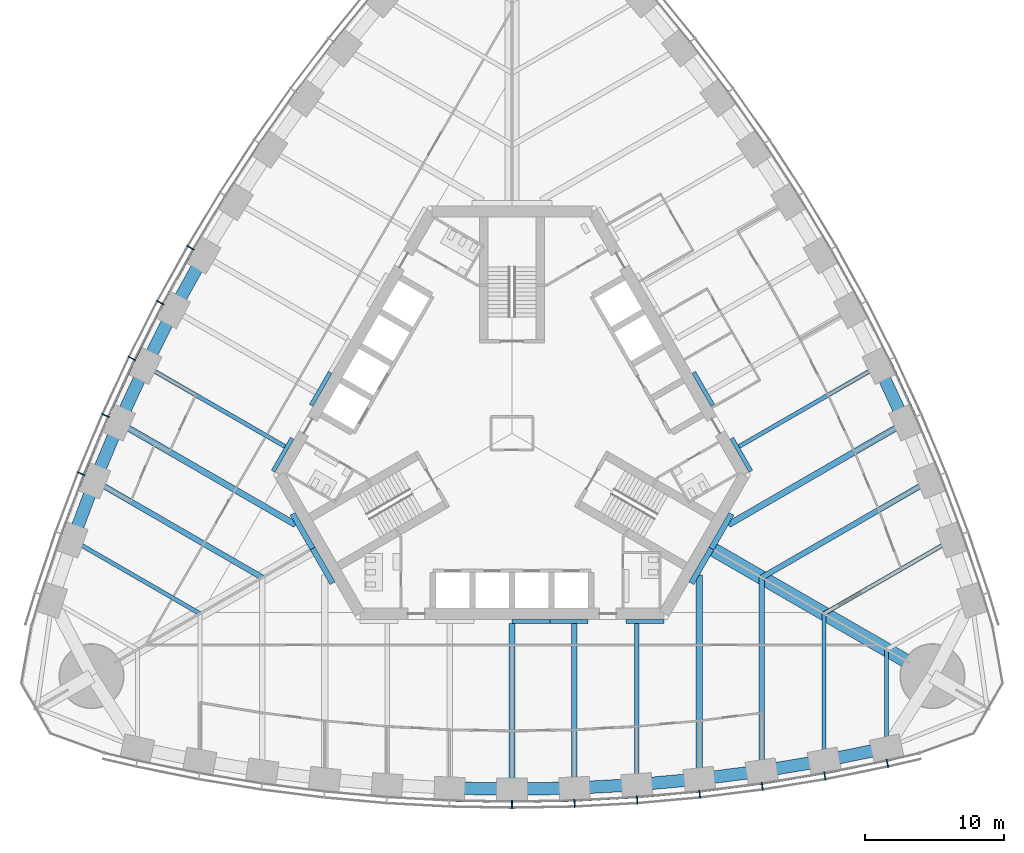
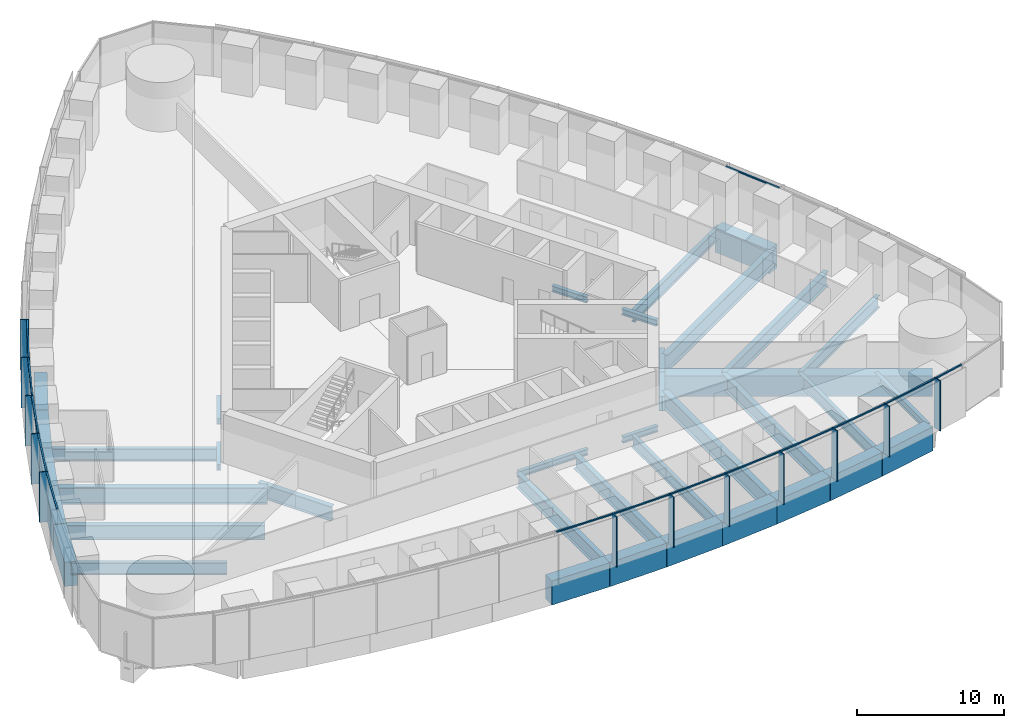
# One storey, part 3 of 18: 40 beams, 26 members, 3 elements without a shape of their own.
"""IFC4 building model written with IfcOpenShell, lengths in metres."""

from ifc_helpers import new_model, si_unit, direction, frame, origin, origin_2d, place, context, subcontext, project, spatial, rectangle, i_section, extrude, material, material_profile, profile_set, type_object, element, aggregate, save


model = new_model("IFC4")

# Units and contexts
model_context = context("Model", 3, precision=1e-05, world=origin(), true_north=direction((0.0, 1.0)))
body_context = subcontext(model_context, "Body", "Model", "MODEL_VIEW")
ifc_project = project(units=[si_unit("LENGTHUNIT", "METRE"), si_unit("AREAUNIT", "SQUARE_METRE"), si_unit("VOLUMEUNIT", "CUBIC_METRE"), si_unit("PLANEANGLEUNIT", "RADIAN"), si_unit("MASSUNIT", "GRAM", prefix="KILO")], contexts=[model_context])

# Site, building, storey
site_placement = place(None, origin())
site = spatial("IfcSite", under=ifc_project, at=site_placement, CompositionType="ELEMENT")
building_placement = place(site_placement, origin())
building = spatial("IfcBuilding", under=site, at=building_placement, Name="Trefoil Bronze Tower", CompositionType="ELEMENT")
storey_placement = place(building_placement, frame((0.0, 0.0, 111.5)))
storey = spatial("IfcBuildingStorey", under=building, at=storey_placement, Name="L25", CompositionType="ELEMENT", Elevation=111.5)

# Curtain wall, members
ifc_material_1 = material(Name="Tinted solar-control glass", Category="glass")
curtain_wall_type = type_object("IfcCurtainWallType", Name="Bronze office curtain wall", PredefinedType="USERDEFINED", material=ifc_material_1)
curtain_wall_1_placement = place(storey_placement, origin())
curtain_wall_1 = element("IfcCurtainWall", 1, at=curtain_wall_1_placement, inside=storey, type_object=curtain_wall_type, Name="CW-A L25 F1", ObjectType="CURTAIN WALL", PredefinedType="USERDEFINED")
ifc_material_2 = material(Name="Bronze-finish aluminium", Category="aluminium")
ifc_material_profile_1 = material_profile(ifc_material_2, rectangle(XDim=0.60009765625, YDim=0.080078125, at=origin_2d()), Name="CW-A mullion")
ifc_profile_set_1 = profile_set([ifc_material_profile_1], Name="Bronze-finish aluminium")
member_type_1 = type_object("IfcMemberType", Name="Bronze office curtain wall mullion", PredefinedType="MULLION", material=ifc_profile_set_1)
member_1_placement = place(storey_placement, frame((0.0, -26.749755859375, 0.0), z_axis=(0.0, 0.0, 1.0), x_axis=(0.0, 1.0, 0.0)))
member_1 = element("IfcMember", 2, at=member_1_placement, type_object=member_type_1, Name="CW-A L25 F1 mullion 8", PredefinedType="MULLION", context=body_context, shape_type="SweptSolid", body=[
    extrude(rectangle(XDim=0.60009765625, YDim=0.080078125, at=origin_2d()), origin(), (0.0, 0.0, 1.0), 4.179931640625),
])
member_2_placement = place(storey_placement, frame((4.5107421875, -26.66845703125, 0.0), z_axis=(0.0, 0.0, 1.0), x_axis=(-0.036047792107, 0.999350067136, 0.0)))
member_2 = element("IfcMember", 3, at=member_2_placement, type_object=member_type_1, Name="CW-A L25 F1 mullion 9", PredefinedType="MULLION", context=body_context, shape_type="SweptSolid", body=[
    extrude(rectangle(XDim=0.60009765625, YDim=0.080078125, at=origin_2d()), origin(), (0.0, 0.0, 1.0), 4.179931640625),
])
member_3_placement = place(storey_placement, frame((9.021728515625, -26.424072265625, 0.0), z_axis=(0.0, 0.0, 1.0), x_axis=(-0.072095676284, 0.997397720802, 0.0)))
member_3 = element("IfcMember", 4, at=member_3_placement, type_object=member_type_1, Name="CW-A L25 F1 mullion 10", PredefinedType="MULLION", context=body_context, shape_type="SweptSolid", body=[
    extrude(rectangle(XDim=0.60009765625, YDim=0.080078125, at=origin_2d()), origin(), (0.0, 0.0, 1.0), 4.179931640625),
])
member_4_placement = place(storey_placement, frame((13.532470703125, -26.01611328125, 0.0), z_axis=(0.0, 0.0, 1.0), x_axis=(-0.108143747013, 0.994135267447, 0.0)))
member_4 = element("IfcMember", 5, at=member_4_placement, type_object=member_type_1, Name="CW-A L25 F1 mullion 11", PredefinedType="MULLION", context=body_context, shape_type="SweptSolid", body=[
    extrude(rectangle(XDim=0.60009765625, YDim=0.080078125, at=origin_2d()), origin(), (0.0, 0.0, 1.0), 4.179931640625),
])
member_5_placement = place(storey_placement, frame((18.043212890625, -25.4423828125, 0.0), z_axis=(0.0, 0.0, 1.0), x_axis=(-0.144192103798, 0.989549714366, 0.0)))
member_5 = element("IfcMember", 6, at=member_5_placement, type_object=member_type_1, Name="CW-A L25 F1 mullion 12", PredefinedType="MULLION", context=body_context, shape_type="SweptSolid", body=[
    extrude(rectangle(XDim=0.60009765625, YDim=0.080078125, at=origin_2d()), origin(), (0.0, 0.0, 1.0), 4.179931640625),
])
member_6_placement = place(storey_placement, frame((22.553955078125, -24.700927734375, 0.0), z_axis=(0.0, 0.0, 1.0), x_axis=(-0.180240853954, 0.98362250613, 0.0)))
member_6 = element("IfcMember", 7, at=member_6_placement, type_object=member_type_1, Name="CW-A L25 F1 mullion 13", PredefinedType="MULLION", context=body_context, shape_type="SweptSolid", body=[
    extrude(rectangle(XDim=0.60009765625, YDim=0.080078125, at=origin_2d()), origin(), (0.0, 0.0, 1.0), 4.179931640625),
])
member_7_placement = place(storey_placement, frame((27.0634765625, -23.7890625, 0.0), z_axis=(0.0, 0.0, 1.0), x_axis=(-0.21197042503, 0.977276081214, 0.0)))
member_7 = element("IfcMember", 8, at=member_7_placement, type_object=member_type_1, Name="CW-A L25 F1 mullion 14", PredefinedType="MULLION", context=body_context, shape_type="SweptSolid", body=[
    extrude(rectangle(XDim=0.60009765625, YDim=0.080078125, at=origin_2d()), origin(), (0.0, 0.0, 1.0), 4.179931640625),
])

curtain_wall_2_placement = place(storey_placement, origin())
curtain_wall_2 = element("IfcCurtainWall", 9, at=curtain_wall_2_placement, inside=storey, type_object=curtain_wall_type, Name="CW-A L25 F3", ObjectType="CURTAIN WALL", PredefinedType="USERDEFINED")
member_8_placement = place(storey_placement, frame((-23.166015625, 13.374755859375, 0.0), z_axis=(0.0, 0.0, 1.0), x_axis=(0.866025403784, -0.5, 0.0)))
member_8 = element("IfcMember", 10, at=member_8_placement, type_object=member_type_1, Name="CW-A L25 F3 mullion 8", PredefinedType="MULLION", context=body_context, shape_type="SweptSolid", body=[
    extrude(rectangle(XDim=0.60009765625, YDim=0.080078125, at=origin_2d()), origin(), (0.0, 0.0, 1.0), 4.179931640625),
])
member_9_placement = place(storey_placement, frame((-25.350830078125, 9.427734375, 0.0), z_axis=(0.0, 0.0, 1.0), x_axis=(0.883486441467, -0.468456729853, 0.0)))
member_9 = element("IfcMember", 11, at=member_9_placement, type_object=member_type_1, Name="CW-A L25 F3 mullion 9", PredefinedType="MULLION", context=body_context, shape_type="SweptSolid", body=[
    extrude(rectangle(XDim=0.60009765625, YDim=0.080078125, at=origin_2d()), origin(), (0.0, 0.0, 1.0), 4.179931640625),
])
member_10_placement = place(storey_placement, frame((-27.394775390625, 5.399169921875, 0.0), z_axis=(0.0, 0.0, 1.0), x_axis=(0.899819602033, -0.436262173236, 0.0)))
member_10 = element("IfcMember", 12, at=member_10_placement, type_object=member_type_1, Name="CW-A L25 F3 mullion 10", PredefinedType="MULLION", context=body_context, shape_type="SweptSolid", body=[
    extrude(rectangle(XDim=0.60009765625, YDim=0.080078125, at=origin_2d()), origin(), (0.0, 0.0, 1.0), 4.179931640625),
])
member_11_placement = place(storey_placement, frame((-29.296875, 1.28857421875, 0.0), z_axis=(0.0, 0.0, 1.0), x_axis=(0.915018269914, -0.40341240155, 0.0)))
member_11 = element("IfcMember", 13, at=member_11_placement, type_object=member_type_1, Name="CW-A L25 F3 mullion 11", PredefinedType="MULLION", context=body_context, shape_type="SweptSolid", body=[
    extrude(rectangle(XDim=0.60009765625, YDim=0.080078125, at=origin_2d()), origin(), (0.0, 0.0, 1.0), 4.179931640625),
])
member_12_placement = place(storey_placement, frame((-31.055419921875, -2.90478515625, 0.0), z_axis=(0.0, 0.0, 1.0), x_axis=(0.929071242848, -0.369900832269, 0.0)))
member_12 = element("IfcMember", 14, at=member_12_placement, type_object=member_type_1, Name="CW-A L25 F3 mullion 12", PredefinedType="MULLION", context=body_context, shape_type="SweptSolid", body=[
    extrude(rectangle(XDim=0.60009765625, YDim=0.080078125, at=origin_2d()), origin(), (0.0, 0.0, 1.0), 4.179931640625),
])

# Member
ifc_material_3 = material(Name="Bronze-finish aluminium", Category="aluminium")
ifc_material_profile_2 = material_profile(ifc_material_3, rectangle(XDim=0.1201171875, YDim=0.10009765625, at=origin_2d()), Name="CW-A transom")
ifc_profile_set_2 = profile_set([ifc_material_profile_2], Name="Bronze-finish aluminium")
member_type_2 = type_object("IfcMemberType", Name="Bronze office curtain wall transom", PredefinedType="USERDEFINED", material=ifc_profile_set_2)
member_13_placement = place(storey_placement, frame((-4.4619140625, -26.46923828125, 4.1298828125), z_axis=(0.999837930028, -0.018003157426, 0.0), x_axis=(0.018003157426, 0.999837930028, 0.0)))
member_13 = element("IfcMember", 15, at=member_13_placement, type_object=member_type_2, Name="CW-A L25 F1 transom 7", ObjectType="TRANSOM", PredefinedType="USERDEFINED", context=body_context, shape_type="SweptSolid", body=[
    extrude(rectangle(XDim=0.1201171875, YDim=0.10009765625, at=origin_2d()), origin(), (0.0, 0.0, 1.0), 4.4208984375),
])

member_14_placement = place(storey_placement, frame((0.041748046875, -26.548828125, 4.1298828125), z_axis=(0.999837930028, 0.018003157426, 0.0), x_axis=(-0.018003157426, 0.999837930028, 0.0)))
member_14 = element("IfcMember", 16, at=member_14_placement, type_object=member_type_2, Name="CW-A L25 F1 transom 8", ObjectType="TRANSOM", PredefinedType="USERDEFINED", context=body_context, shape_type="SweptSolid", body=[
    extrude(rectangle(XDim=0.1201171875, YDim=0.10009765625, at=origin_2d()), origin(), (0.0, 0.0, 1.0), 4.4208984375),
])

member_15_placement = place(storey_placement, frame((4.54541015625, -26.46630859375, 4.1298828125), z_axis=(0.998538253569, 0.054049571306, 0.0), x_axis=(-0.054049571306, 0.998538253569, 0.0)))
member_15 = element("IfcMember", 17, at=member_15_placement, type_object=member_type_2, Name="CW-A L25 F1 transom 9", ObjectType="TRANSOM", PredefinedType="USERDEFINED", context=body_context, shape_type="SweptSolid", body=[
    extrude(rectangle(XDim=0.1201171875, YDim=0.10009765625, at=origin_2d()), origin(), (0.0, 0.0, 1.0), 4.4267578125),
])

member_16_placement = place(storey_placement, frame((9.048828125, -26.220947265625, 4.1298828125), z_axis=(0.995932787062, 0.090099298863, 0.0), x_axis=(-0.090099298863, 0.995932787062, 0.0)))
member_16 = element("IfcMember", 18, at=member_16_placement, type_object=member_type_2, Name="CW-A L25 F1 transom 10", ObjectType="TRANSOM", PredefinedType="USERDEFINED", context=body_context, shape_type="SweptSolid", body=[
    extrude(rectangle(XDim=0.1201171875, YDim=0.10009765625, at=origin_2d()), origin(), (0.0, 0.0, 1.0), 4.4384765625),
])

member_17_placement = place(storey_placement, frame((13.55224609375, -25.81201171875, 4.1298828125), z_axis=(0.992008387848, 0.12617193998, 0.0), x_axis=(-0.12617193998, 0.992008387848, 0.0)))
member_17 = element("IfcMember", 19, at=member_17_placement, type_object=member_type_2, Name="CW-A L25 F1 transom 11", ObjectType="TRANSOM", PredefinedType="USERDEFINED", context=body_context, shape_type="SweptSolid", body=[
    extrude(rectangle(XDim=0.1201171875, YDim=0.10009765625, at=origin_2d()), origin(), (0.0, 0.0, 1.0), 4.456298828125),
])

member_18_placement = place(storey_placement, frame((18.0556640625, -25.23779296875, 4.1298828125), z_axis=(0.986755265284, 0.162216048636, 0.0), x_axis=(-0.162216048636, 0.986755265284, 0.0)))
member_18 = element("IfcMember", 20, at=member_18_placement, type_object=member_type_2, Name="CW-A L25 F1 transom 12", ObjectType="TRANSOM", PredefinedType="USERDEFINED", context=body_context, shape_type="SweptSolid", body=[
    extrude(rectangle(XDim=0.1201171875, YDim=0.10009765625, at=origin_2d()), origin(), (0.0, 0.0, 1.0), 4.48046875),
])

member_19_placement = place(storey_placement, frame((22.55908203125, -24.49609375, 4.1298828125), z_axis=(0.980153749225, 0.198238815273, 0.0), x_axis=(-0.198238815273, 0.980153749225, 0.0)))
member_19 = element("IfcMember", 21, at=member_19_placement, type_object=member_type_2, Name="CW-A L25 F1 transom 13", ObjectType="TRANSOM", PredefinedType="USERDEFINED", context=body_context, shape_type="SweptSolid", body=[
    extrude(rectangle(XDim=0.1201171875, YDim=0.10009765625, at=origin_2d()), origin(), (0.0, 0.0, 1.0), 4.51123046875),
])

member_20_placement = place(storey_placement, frame((27.0615234375, -23.584228515625, 4.1298828125), z_axis=(0.974206243495, 0.225659467196, 0.0), x_axis=(-0.225659467196, 0.974206243495, 0.0)))
member_20 = element("IfcMember", 22, at=member_20_placement, type_object=member_type_2, Name="CW-A L25 F1 transom 14", ObjectType="TRANSOM", PredefinedType="USERDEFINED", context=body_context, shape_type="SweptSolid", body=[
    extrude(rectangle(XDim=0.1201171875, YDim=0.10009765625, at=origin_2d()), origin(), (0.0, 0.0, 1.0), 2.340087890625),
])

aggregate(curtain_wall_1, [member_1, member_2, member_3, member_4, member_5, member_6, member_7, member_13, member_14, member_15, member_16, member_17, member_18, member_19, member_20])

# Curtain wall, member
curtain_wall_3_placement = place(storey_placement, origin())
curtain_wall_3 = element("IfcCurtainWall", 23, at=curtain_wall_3_placement, inside=storey, type_object=curtain_wall_type, Name="CW-A L25 F2", ObjectType="CURTAIN WALL", PredefinedType="USERDEFINED")
member_21_placement = place(storey_placement, frame((29.09619140625, 1.245849609375, 4.1298828125), z_axis=(-0.419923072198, 0.907559702409, 0.0), x_axis=(-0.907559702409, -0.419923072198, 0.0)))
member_21 = element("IfcMember", 24, at=member_21_placement, type_object=member_type_2, Name="CW-A L25 F2 transom 5", ObjectType="TRANSOM", PredefinedType="USERDEFINED", context=body_context, shape_type="SweptSolid", body=[
    extrude(rectangle(XDim=0.1201171875, YDim=0.10009765625, at=origin_2d()), origin(), (0.0, 0.0, 1.0), 4.4384765625),
])
aggregate(curtain_wall_3, [member_21])

# Member
member_22_placement = place(storey_placement, frame((-23.012939453125, 13.23828125, 4.1298828125), z_axis=(-0.484329470343, -0.874885686337, 0.0), x_axis=(0.874885686337, -0.484329470343, 0.0)))
member_22 = element("IfcMember", 25, at=member_22_placement, type_object=member_type_2, Name="CW-A L25 F3 transom 8", ObjectType="TRANSOM", PredefinedType="USERDEFINED", context=body_context, shape_type="SweptSolid", body=[
    extrude(rectangle(XDim=0.1201171875, YDim=0.10009765625, at=origin_2d()), origin(), (0.0, 0.0, 1.0), 4.4208984375),
])

member_23_placement = place(storey_placement, frame((-25.193115234375, 9.296630859375, 4.1298828125), z_axis=(-0.452478489814, -0.891775317138, 0.0), x_axis=(0.891775317138, -0.452478489814, 0.0)))
member_23 = element("IfcMember", 26, at=member_23_placement, type_object=member_type_2, Name="CW-A L25 F3 transom 9", ObjectType="TRANSOM", PredefinedType="USERDEFINED", context=body_context, shape_type="SweptSolid", body=[
    extrude(rectangle(XDim=0.1201171875, YDim=0.10009765625, at=origin_2d()), origin(), (0.0, 0.0, 1.0), 4.426513671875),
])

member_24_placement = place(storey_placement, frame((-27.232421875, 5.27392578125, 4.1298828125), z_axis=(-0.419923072198, -0.907559702409, 0.0), x_axis=(0.907559702409, -0.419923072198, 0.0)))
member_24 = element("IfcMember", 27, at=member_24_placement, type_object=member_type_2, Name="CW-A L25 F3 transom 10", ObjectType="TRANSOM", PredefinedType="USERDEFINED", context=body_context, shape_type="SweptSolid", body=[
    extrude(rectangle(XDim=0.1201171875, YDim=0.10009765625, at=origin_2d()), origin(), (0.0, 0.0, 1.0), 4.4384765625),
])

member_25_placement = place(storey_placement, frame((-29.1298828125, 1.16943359375, 4.1298828125), z_axis=(-0.386773266184, -0.922174842731, 0.0), x_axis=(0.922174842731, -0.386773266184, 0.0)))
member_25 = element("IfcMember", 28, at=member_25_placement, type_object=member_type_2, Name="CW-A L25 F3 transom 11", ObjectType="TRANSOM", PredefinedType="USERDEFINED", context=body_context, shape_type="SweptSolid", body=[
    extrude(rectangle(XDim=0.1201171875, YDim=0.10009765625, at=origin_2d()), origin(), (0.0, 0.0, 1.0), 4.45654296875),
])

member_26_placement = place(storey_placement, frame((-30.88427734375, -3.017822265625, 4.1298828125), z_axis=(-0.352932154759, -0.935648916067, 0.0), x_axis=(0.935648916067, -0.352932154759, 0.0)))
member_26 = element("IfcMember", 29, at=member_26_placement, type_object=member_type_2, Name="CW-A L25 F3 transom 12", ObjectType="TRANSOM", PredefinedType="USERDEFINED", context=body_context, shape_type="SweptSolid", body=[
    extrude(rectangle(XDim=0.1201171875, YDim=0.10009765625, at=origin_2d()), origin(), (0.0, 0.0, 1.0), 4.48046875),
])

aggregate(curtain_wall_2, [member_8, member_9, member_10, member_11, member_12, member_22, member_23, member_24, member_25, member_26])

# Beams
ifc_material_4 = material(Name="Steel C355", Category="steel")
ifc_material_profile_3 = material_profile(ifc_material_4, i_section(OverallWidth=0.300048828125, OverallDepth=0.5, WebThickness=0.014404296875, FlangeThickness=0.028076171875, FilletRadius=0.027099609375, at=origin_2d()), Name="HEB 500")
ifc_profile_set_3 = profile_set([ifc_material_profile_3], Name="Steel C355")
beam_type_1 = type_object("IfcBeamType", Name="Core seat beam HEB 500", PredefinedType="BEAM", material=ifc_profile_set_3)
for number, where, z_axis, x_axis, name in (
    (30, (0.0, -13.550048828125, -0.449951171875), (1.0, 0.0, 0.0), (0.0, 1.0, 0.0), "Core seat beam F1/+0 L25"),
    (31, (2.742431640625, -13.550048828125, -0.449951171875), (1.0, 0.0, 0.0), (0.0, 1.0, 0.0), "Core seat beam F1/+1 L25"),
    (32, (8.227294921875, -13.550048828125, -0.449951171875), (1.0, 0.0, 0.0), (0.0, 1.0, 0.0), "Core seat beam F1/+2 L25"),
    (33, (17.219482421875, -2.72509765625, -0.449951171875), (-0.500035825175, 0.866004719122, 0.0), (-0.866004719122, -0.500035825175, 0.0), "Core seat beam F2/-2 L25"),
    (34, (14.47705078125, 2.02490234375, -0.449951171875), (-0.499969057507, 0.866043267704, 0.0), (-0.866043267704, -0.499969057507, 0.0), "Core seat beam F2/-1 L25"),
    (35, (-13.10595703125, 4.39990234375, -0.449951171875), (-0.499969057507, -0.866043267704, 0.0), (0.866043267704, -0.499969057507, 0.0), "Core seat beam F3/+1 L25"),
    (36, (-15.84814453125, -0.35009765625, -0.449951171875), (-0.500035825175, -0.866004719122, 0.0), (0.866004719122, -0.500035825175, 0.0), "Core seat beam F3/+2 L25"),
):
    element("IfcBeam", number, at=place(storey_placement, frame(where, z_axis=z_axis, x_axis=x_axis)), inside=storey, type_object=beam_type_1, Name=name, PredefinedType="BEAM", context=body_context, shape_type="SweptSolid", body=[
        extrude(i_section(OverallWidth=0.300048828125, OverallDepth=0.5, WebThickness=0.014404296875, FlangeThickness=0.028076171875, FilletRadius=0.027099609375, at=origin_2d()), origin(), (0.0, 0.0, 1.0), 2.742431640625),
    ])
ifc_material_5 = material(Name="Steel C355", Category="steel")
ifc_material_profile_4 = material_profile(ifc_material_5, i_section(OverallWidth=0.39990234375, OverallDepth=1.199951171875, WebThickness=0.02001953125, FlangeThickness=0.0400390625, FilletRadius=0.010009765625, at=origin_2d()), Name="WPG 1200")
ifc_profile_set_4 = profile_set([ifc_material_profile_4], Name="Steel C355")
beam_type_2 = type_object("IfcBeamType", Name="Core seat beam WPG 1200", PredefinedType="BEAM", material=ifc_profile_set_4)
for number, where, z_axis, x_axis, name in (
    (37, (-14.3759765625, -8.300048828125, -0.800048828125), (0.499995765644, -0.866027848477, 0.0), (0.866027848477, 0.499995765644, 0.0), "Core seat beam F1/-3 L25"),
    (38, (12.9326171875, -10.800048828125, -0.800048828125), (0.499995765644, 0.866027848477, 0.0), (-0.866027848477, 0.499995765644, 0.0), "Core seat beam F1/+3 L25"),
    (39, (14.3759765625, -8.300048828125, -0.800048828125), (0.499995765644, 0.866027848477, 0.0), (-0.866027848477, 0.499995765644, 0.0), "Core seat beam F2/-3 L25"),
    (40, (-15.8193359375, -5.800048828125, -0.800048828125), (0.499995765644, -0.866027848477, 0.0), (0.866027848477, 0.499995765644, 0.0), "Core seat beam F3/+3 L25"),
):
    element("IfcBeam", number, at=place(storey_placement, frame(where, z_axis=z_axis, x_axis=x_axis)), inside=storey, type_object=beam_type_2, Name=name, PredefinedType="BEAM", context=body_context, shape_type="SweptSolid", body=[
        extrude(i_section(OverallWidth=0.39990234375, OverallDepth=1.199951171875, WebThickness=0.02001953125, FlangeThickness=0.0400390625, FilletRadius=0.010009765625, at=origin_2d()), origin(), (0.0, 0.0, 1.0), 2.88671875),
    ])
ifc_material_6 = material(Name="Concrete B80", Category="concrete")
ifc_material_profile_5 = material_profile(ifc_material_6, rectangle(XDim=1.0, YDim=1.699951171875, at=origin_2d()), Name="RC 1000x1700")
ifc_profile_set_5 = profile_set([ifc_material_profile_5], Name="Concrete B80")
beam_type_3 = type_object("IfcBeamType", Name="Corner girder RC 1000x1700", PredefinedType="BEAM", material=ifc_profile_set_5)
beam_1_placement = place(storey_placement, frame((14.202880859375, -8.199951171875, -1.050048828125), z_axis=(0.866022084834, -0.500005748546, 0.0), x_axis=(0.500005748546, 0.866022084834, 0.0)))
element("IfcBeam", 41, at=beam_1_placement, inside=storey, type_object=beam_type_3, Name="Corner girder K1 L25", PredefinedType="BEAM", context=body_context, shape_type="SweptSolid", body=[
    extrude(rectangle(XDim=1.0, YDim=1.699951171875, at=origin_2d()), origin(), (0.0, 0.0, 1.0), 18.599853515625),
])
ifc_material_7 = material(Name="Steel C355", Category="steel")
ifc_material_profile_6 = material_profile(ifc_material_7, i_section(OverallWidth=0.300048828125, OverallDepth=1.0, WebThickness=0.01904296875, FlangeThickness=0.035888671875, FilletRadius=0.030029296875, at=origin_2d()), Name="HEB 1000")
ifc_profile_set_6 = profile_set([ifc_material_profile_6], Name="Steel C355")
beam_type_4 = type_object("IfcBeamType", Name="Floor beam HEB 1000", PredefinedType="BEAM", material=ifc_profile_set_6)
beam_2_placement = place(storey_placement, frame((22.5, -23.592529296875, -0.699951171875), z_axis=(0.0, 1.0, 0.0), x_axis=(-1.0, 0.0, 0.0)))
element("IfcBeam", 42, at=beam_2_placement, inside=storey, type_object=beam_type_4, Name="Floor beam F1/+5 L25", PredefinedType="BEAM", context=body_context, shape_type="SweptSolid", body=[
    extrude(i_section(OverallWidth=0.300048828125, OverallDepth=1.0, WebThickness=0.01904296875, FlangeThickness=0.035888671875, FilletRadius=0.030029296875, at=origin_2d()), origin(), (0.0, 0.0, 1.0), 10.60205078125),
])
for number, where, z_axis, x_axis, name in (
    (43, (31.681884765625, -7.689208984375, -0.699951171875), (-0.866021079084, -0.500007490527, 0.0), (0.500007490527, -0.866021079084, 0.0), "Floor beam F2/-5 L25"),
    (44, (-31.681884765625, -7.689208984375, -0.699951171875), (0.866021079084, -0.500007490527, 0.0), (0.500007490527, 0.866021079084, 0.0), "Floor beam F3/+5 L25"),
):
    element("IfcBeam", number, at=place(storey_placement, frame(where, z_axis=z_axis, x_axis=x_axis)), inside=storey, type_object=beam_type_4, Name=name, PredefinedType="BEAM", context=body_context, shape_type="SweptSolid", body=[
        extrude(i_section(OverallWidth=0.300048828125, OverallDepth=1.0, WebThickness=0.01904296875, FlangeThickness=0.035888671875, FilletRadius=0.030029296875, at=origin_2d()), origin(), (0.0, 0.0, 1.0), 10.602294921875),
    ])
ifc_material_8 = material(Name="Steel C355", Category="steel")
ifc_material_profile_7 = material_profile(ifc_material_8, i_section(OverallWidth=0.300048828125, OverallDepth=0.60009765625, WebThickness=0.015380859375, FlangeThickness=0.030029296875, FilletRadius=0.027099609375, at=origin_2d()), Name="HEB 600")
ifc_profile_set_7 = profile_set([ifc_material_profile_7], Name="Steel C355")
beam_type_5 = type_object("IfcBeamType", Name="Floor beam HEB 600", PredefinedType="BEAM", material=ifc_profile_set_7)
beam_3_placement = place(storey_placement, frame((27.0, -22.67724609375, -0.5), z_axis=(0.0, 1.0, 0.0), x_axis=(-1.0, 0.0, 0.0)))
element("IfcBeam", 45, at=beam_3_placement, inside=storey, type_object=beam_type_5, Name="Floor beam F1/+6 L25", PredefinedType="BEAM", context=body_context, shape_type="SweptSolid", body=[
    extrude(i_section(OverallWidth=0.300048828125, OverallDepth=0.60009765625, WebThickness=0.015380859375, FlangeThickness=0.030029296875, FilletRadius=0.027099609375, at=origin_2d()), origin(), (0.0, 0.0, 1.0), 7.0888671875),
])
ifc_material_9 = material(Name="Steel C355", Category="steel")
ifc_material_profile_8 = material_profile(ifc_material_9, i_section(OverallWidth=0.302001953125, OverallDepth=1.008056640625, WebThickness=0.02099609375, FlangeThickness=0.0400390625, FilletRadius=0.030029296875, at=origin_2d()), Name="HEM 1000")
ifc_profile_set_8 = profile_set([ifc_material_profile_8], Name="Steel C355")
beam_type_6 = type_object("IfcBeamType", Name="Floor beam HEM 1000", PredefinedType="BEAM", material=ifc_profile_set_8)
for number, where, z_axis, x_axis, name in (
    (46, (9.0, -25.32275390625, -0.7041015625), (0.0, 1.0, 0.0), (-1.0, 0.0, 0.0), "Floor beam F1/+2 L25"),
    (47, (26.43017578125, 4.8671875, -0.7041015625), (-0.866021531335, -0.500006707218, 0.0), (0.500006707218, -0.866021531335, 0.0), "Floor beam F2/-2 L25"),
    (48, (-26.43017578125, 4.8671875, -0.7041015625), (0.866021531335, -0.500006707218, 0.0), (0.500006707218, 0.866021531335, 0.0), "Floor beam F3/+2 L25"),
):
    element("IfcBeam", number, at=place(storey_placement, frame(where, z_axis=z_axis, x_axis=x_axis)), inside=storey, type_object=beam_type_6, Name=name, PredefinedType="BEAM", context=body_context, shape_type="SweptSolid", body=[
        extrude(i_section(OverallWidth=0.302001953125, OverallDepth=1.008056640625, WebThickness=0.02099609375, FlangeThickness=0.0400390625, FilletRadius=0.030029296875, at=origin_2d()), origin(), (0.0, 0.0, 1.0), 11.622802734375),
    ])
ifc_material_10 = material(Name="Steel C355", Category="steel")
ifc_material_profile_9 = material_profile(ifc_material_10, i_section(OverallWidth=0.39990234375, OverallDepth=1.199951171875, WebThickness=0.02001953125, FlangeThickness=0.0400390625, FilletRadius=0.010009765625, at=origin_2d()), Name="WPG 1200")
ifc_profile_set_9 = profile_set([ifc_material_profile_9], Name="Steel C355")
beam_type_7 = type_object("IfcBeamType", Name="Floor beam WPG 1200", PredefinedType="BEAM", material=ifc_profile_set_9)
beam_4_placement = place(storey_placement, frame((0.0, -25.649658203125, -0.800048828125), z_axis=(0.0, 1.0, 0.0), x_axis=(-1.0, 0.0, 0.0)))
element("IfcBeam", 49, at=beam_4_placement, inside=storey, type_object=beam_type_7, Name="Floor beam F1/+0 L25", PredefinedType="BEAM", context=body_context, shape_type="SweptSolid", body=[
    extrude(i_section(OverallWidth=0.39990234375, OverallDepth=1.199951171875, WebThickness=0.02001953125, FlangeThickness=0.0400390625, FilletRadius=0.010009765625, at=origin_2d()), origin(), (0.0, 0.0, 1.0), 11.94970703125),
])
beam_5_placement = place(storey_placement, frame((4.5, -25.568115234375, -0.800048828125), z_axis=(0.0, 1.0, 0.0), x_axis=(-1.0, 0.0, 0.0)))
element("IfcBeam", 50, at=beam_5_placement, inside=storey, type_object=beam_type_7, Name="Floor beam F1/+1 L25", PredefinedType="BEAM", context=body_context, shape_type="SweptSolid", body=[
    extrude(i_section(OverallWidth=0.39990234375, OverallDepth=1.199951171875, WebThickness=0.02001953125, FlangeThickness=0.0400390625, FilletRadius=0.010009765625, at=origin_2d()), origin(), (0.0, 0.0, 1.0), 11.8681640625),
])
for number, where, z_axis, x_axis, name in (
    (51, (18.0, -24.337158203125, -0.800048828125), (0.0, 1.0, 0.0), (-1.0, 0.0, 0.0), "Floor beam F1/+4 L25"),
    (52, (30.07666015625, -3.419921875, -0.800048828125), (-0.866026983775, -0.499997263366, 0.0), (0.499997263366, -0.866026983775, 0.0), "Floor beam F2/-4 L25"),
    (53, (-30.07666015625, -3.419921875, -0.800048828125), (0.866026983775, -0.499997263366, 0.0), (0.499997263366, 0.866026983775, 0.0), "Floor beam F3/+4 L25"),
):
    element("IfcBeam", number, at=place(storey_placement, frame(where, z_axis=z_axis, x_axis=x_axis)), inside=storey, type_object=beam_type_7, Name=name, PredefinedType="BEAM", context=body_context, shape_type="SweptSolid", body=[
        extrude(i_section(OverallWidth=0.39990234375, OverallDepth=1.199951171875, WebThickness=0.02001953125, FlangeThickness=0.0400390625, FilletRadius=0.010009765625, at=origin_2d()), origin(), (0.0, 0.0, 1.0), 13.94482421875),
    ])
ifc_material_11 = material(Name="Steel C355", Category="steel")
ifc_material_profile_10 = material_profile(ifc_material_11, i_section(OverallWidth=0.449951171875, OverallDepth=1.39990234375, WebThickness=0.02294921875, FlangeThickness=0.044921875, FilletRadius=0.011962890625, at=origin_2d()), Name="WPG 1400")
ifc_profile_set_10 = profile_set([ifc_material_profile_10], Name="Steel C355")
beam_type_8 = type_object("IfcBeamType", Name="Floor beam WPG 1400", PredefinedType="BEAM", material=ifc_profile_set_10)
for number, where, z_axis, x_axis, name in (
    (54, (13.5, -24.9130859375, -0.89990234375), (0.0, 1.0, 0.0), (-1.0, 0.0, 0.0), "Floor beam F1/+3 L25"),
    (55, (28.325439453125, 0.76513671875, -0.89990234375), (-0.866027342682, -0.499996641717, 0.0), (0.499996641717, -0.866027342682, 0.0), "Floor beam F2/-3 L25"),
    (56, (-28.325439453125, 0.76513671875, -0.89990234375), (0.866027342682, -0.499996641717, 0.0), (0.499996641717, 0.866027342682, 0.0), "Floor beam F3/+3 L25"),
):
    element("IfcBeam", number, at=place(storey_placement, frame(where, z_axis=z_axis, x_axis=x_axis)), inside=storey, type_object=beam_type_8, Name=name, PredefinedType="BEAM", context=body_context, shape_type="SweptSolid", body=[
        extrude(i_section(OverallWidth=0.449951171875, OverallDepth=1.39990234375, WebThickness=0.02294921875, FlangeThickness=0.044921875, FilletRadius=0.011962890625, at=origin_2d()), origin(), (0.0, 0.0, 1.0), 14.69580078125),
    ])
ifc_material_12 = material(Name="Concrete B80", Category="concrete")
ifc_material_profile_11 = material_profile(ifc_material_12, rectangle(XDim=0.89990234375, YDim=2.0, at=origin_2d()), Name="RC 900x2000")
ifc_profile_set_11 = profile_set([ifc_material_profile_11], Name="Concrete B80")
beam_type_9 = type_object("IfcBeamType", Name="Spandrel beam RC 900x2000", PredefinedType="SPANDREL", material=ifc_profile_set_11)
for number, where, z_axis, x_axis, name in (
    (57, (-4.5, -25.568115234375, -1.199951171875), (0.999835861267, -0.01811768542, 0.0), (0.01811768542, 0.999835861267, 0.0), "Spandrel F1.7 L25"),
    (58, (0.0, -25.649658203125, -1.199951171875), (0.999835861267, 0.01811768542, 0.0), (-0.01811768542, 0.999835861267, 0.0), "Spandrel F1.8 L25"),
):
    element("IfcBeam", number, at=place(storey_placement, frame(where, z_axis=z_axis, x_axis=x_axis)), inside=storey, type_object=beam_type_9, Name=name, PredefinedType="SPANDREL", context=body_context, shape_type="SweptSolid", body=[
        extrude(rectangle(XDim=0.89990234375, YDim=2.0, at=origin_2d()), origin(), (0.0, 0.0, 1.0), 4.500732421875),
    ])
beam_6_placement = place(storey_placement, frame((4.5, -25.568115234375, -1.199951171875), z_axis=(0.998516832602, 0.054443870267, 0.0), x_axis=(-0.054443870267, 0.998516832602, 0.0)))
element("IfcBeam", 59, at=beam_6_placement, inside=storey, type_object=beam_type_9, Name="Spandrel F1.9 L25", PredefinedType="SPANDREL", context=body_context, shape_type="SweptSolid", body=[
    extrude(rectangle(XDim=0.89990234375, YDim=2.0, at=origin_2d()), origin(), (0.0, 0.0, 1.0), 4.506591796875),
])
beam_7_placement = place(storey_placement, frame((9.0, -25.32275390625, -1.199951171875), z_axis=(0.995881683815, 0.090662405894, 0.0), x_axis=(-0.090662405894, 0.995881683815, 0.0)))
element("IfcBeam", 60, at=beam_7_placement, inside=storey, type_object=beam_type_9, Name="Spandrel F1.10 L25", PredefinedType="SPANDREL", context=body_context, shape_type="SweptSolid", body=[
    extrude(rectangle(XDim=0.89990234375, YDim=2.0, at=origin_2d()), origin(), (0.0, 0.0, 1.0), 4.5185546875),
])
beam_8_placement = place(storey_placement, frame((13.5, -24.9130859375, -1.199951171875), z_axis=(0.991909314257, 0.126948463126, 0.0), x_axis=(-0.126948463126, 0.991909314257, 0.0)))
element("IfcBeam", 61, at=beam_8_placement, inside=storey, type_object=beam_type_9, Name="Spandrel F1.11 L25", PredefinedType="SPANDREL", context=body_context, shape_type="SweptSolid", body=[
    extrude(rectangle(XDim=0.89990234375, YDim=2.0, at=origin_2d()), origin(), (0.0, 0.0, 1.0), 4.53662109375),
])
beam_9_placement = place(storey_placement, frame((18.0, -24.337158203125, -1.199951171875), z_axis=(0.986584214684, 0.163253138823, 0.0), x_axis=(-0.163253138823, 0.986584214684, 0.0)))
element("IfcBeam", 62, at=beam_9_placement, inside=storey, type_object=beam_type_9, Name="Spandrel F1.12 L25", PredefinedType="SPANDREL", context=body_context, shape_type="SweptSolid", body=[
    extrude(rectangle(XDim=0.89990234375, YDim=2.0, at=origin_2d()), origin(), (0.0, 0.0, 1.0), 4.561279296875),
])
beam_10_placement = place(storey_placement, frame((22.5, -23.592529296875, -1.199951171875), z_axis=(0.979935430296, 0.199315208777, 0.0), x_axis=(-0.199315208777, 0.979935430296, 0.0)))
element("IfcBeam", 63, at=beam_10_placement, inside=storey, type_object=beam_type_9, Name="Spandrel F1.13 L25", PredefinedType="SPANDREL", context=body_context, shape_type="SweptSolid", body=[
    extrude(rectangle(XDim=0.89990234375, YDim=2.0, at=origin_2d()), origin(), (0.0, 0.0, 1.0), 4.592041015625),
])
beam_11_placement = place(storey_placement, frame((28.325439453125, 0.76513671875, -1.199951171875), z_axis=(-0.419424747755, 0.907790108434, 0.0), x_axis=(-0.907790108434, -0.419424747755, 0.0)))
element("IfcBeam", 64, at=beam_11_placement, inside=storey, type_object=beam_type_9, Name="Spandrel F2.5 L25", PredefinedType="SPANDREL", context=body_context, shape_type="SweptSolid", body=[
    extrude(rectangle(XDim=0.89990234375, YDim=2.0, at=origin_2d()), origin(), (0.0, 0.0, 1.0), 4.518798828125),
])
beam_12_placement = place(storey_placement, frame((-22.21337890625, 12.824951171875, -1.199951171875), z_axis=(-0.484186866546, -0.874964615436, 0.0), x_axis=(0.874964615436, -0.484186866546, 0.0)))
element("IfcBeam", 65, at=beam_12_placement, inside=storey, type_object=beam_type_9, Name="Spandrel F3.8 L25", PredefinedType="SPANDREL", context=body_context, shape_type="SweptSolid", body=[
    extrude(rectangle(XDim=0.89990234375, YDim=2.0, at=origin_2d()), origin(), (0.0, 0.0, 1.0), 4.500732421875),
])
beam_13_placement = place(storey_placement, frame((-24.392578125, 8.886962890625, -1.199951171875), z_axis=(-0.452125717735, -0.891954222683, 0.0), x_axis=(0.891954222683, -0.452125717735, 0.0)))
element("IfcBeam", 66, at=beam_13_placement, inside=storey, type_object=beam_type_9, Name="Spandrel F3.9 L25", PredefinedType="SPANDREL", context=body_context, shape_type="SweptSolid", body=[
    extrude(rectangle(XDim=0.89990234375, YDim=2.0, at=origin_2d()), origin(), (0.0, 0.0, 1.0), 4.506591796875),
])
beam_14_placement = place(storey_placement, frame((-26.43017578125, 4.8671875, -1.199951171875), z_axis=(-0.419424747755, -0.907790108434, 0.0), x_axis=(0.907790108434, -0.419424747755, 0.0)))
element("IfcBeam", 67, at=beam_14_placement, inside=storey, type_object=beam_type_9, Name="Spandrel F3.10 L25", PredefinedType="SPANDREL", context=body_context, shape_type="SweptSolid", body=[
    extrude(rectangle(XDim=0.89990234375, YDim=2.0, at=origin_2d()), origin(), (0.0, 0.0, 1.0), 4.518798828125),
])
beam_15_placement = place(storey_placement, frame((-28.325439453125, 0.76513671875, -1.199951171875), z_axis=(-0.386013490858, -0.922493135408, 0.0), x_axis=(0.922493135408, -0.386013490858, 0.0)))
element("IfcBeam", 68, at=beam_15_placement, inside=storey, type_object=beam_type_9, Name="Spandrel F3.11 L25", PredefinedType="SPANDREL", context=body_context, shape_type="SweptSolid", body=[
    extrude(rectangle(XDim=0.89990234375, YDim=2.0, at=origin_2d()), origin(), (0.0, 0.0, 1.0), 4.53662109375),
])
beam_16_placement = place(storey_placement, frame((-30.07666015625, -3.419921875, -1.199951171875), z_axis=(-0.351938675523, -0.936023059904, 0.0), x_axis=(0.936023059904, -0.351938675523, 0.0)))
element("IfcBeam", 69, at=beam_16_placement, inside=storey, type_object=beam_type_9, Name="Spandrel F3.12 L25", PredefinedType="SPANDREL", context=body_context, shape_type="SweptSolid", body=[
    extrude(rectangle(XDim=0.89990234375, YDim=2.0, at=origin_2d()), origin(), (0.0, 0.0, 1.0), 4.56103515625),
])

save(model, "model.ifc")
